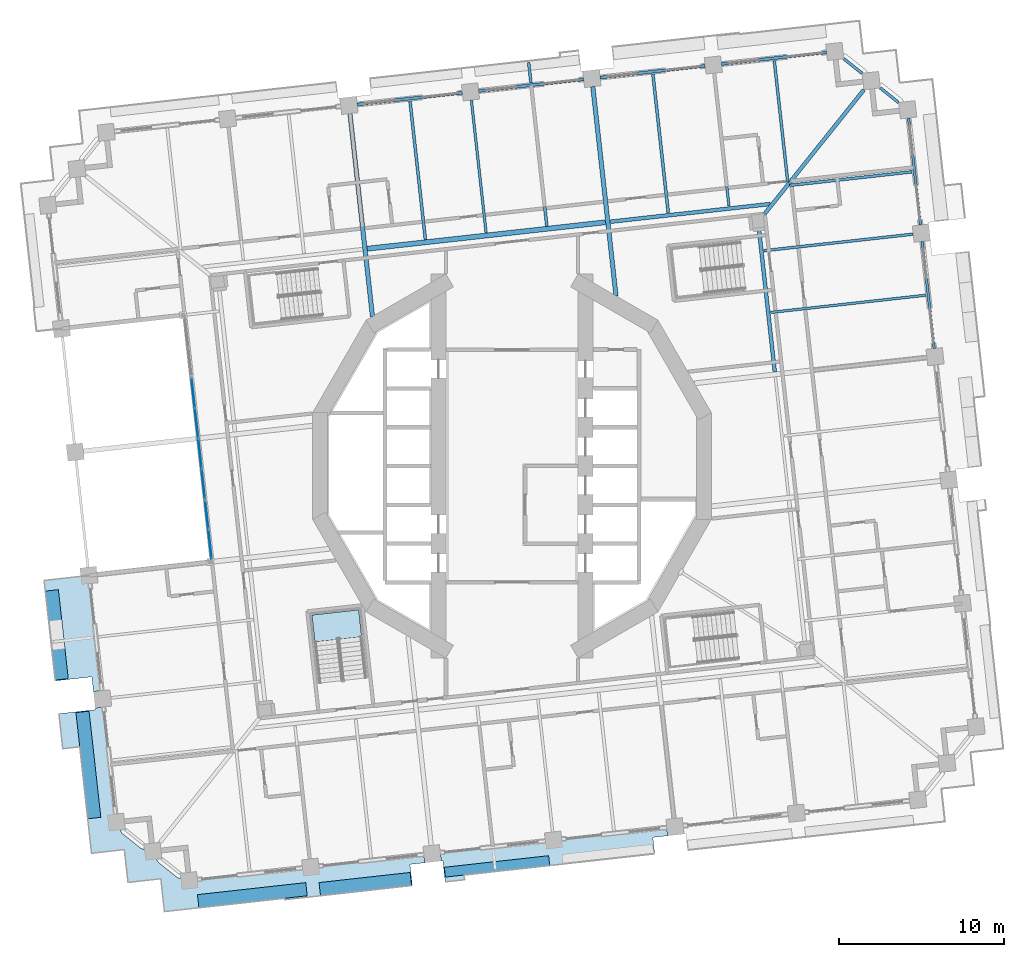
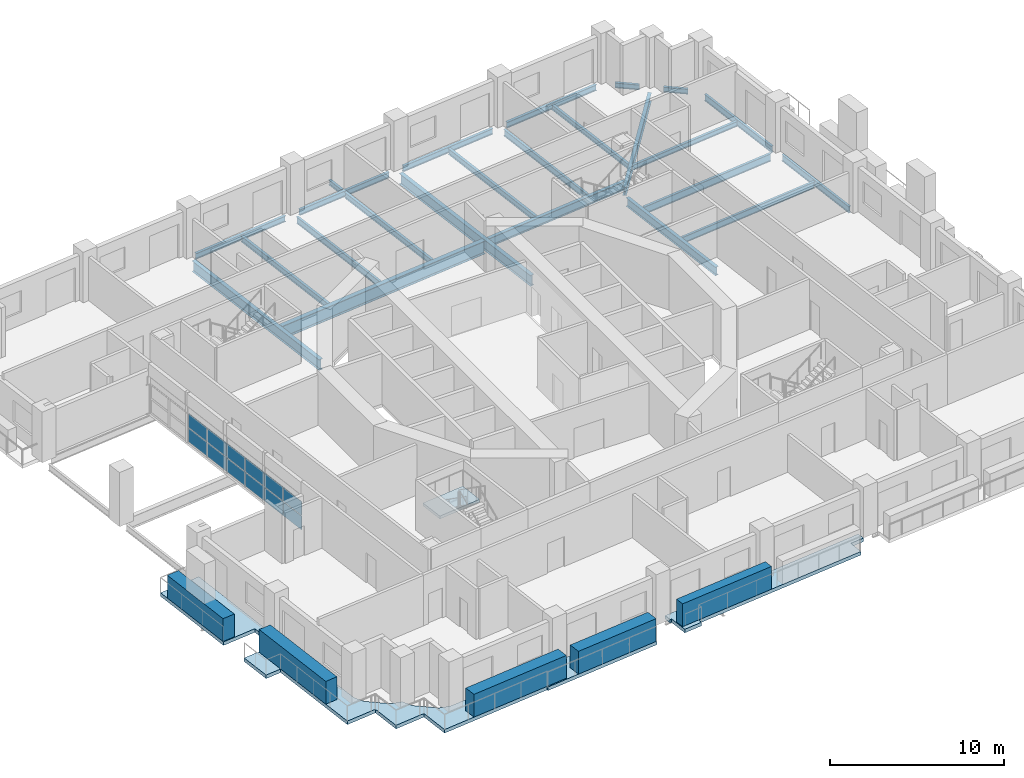
# One storey, part 5 of 21: 24 beams, 17 plates, 4 slabs, 2 elements without a shape of their own.
"""IFC4 building model written with IfcOpenShell, lengths in metres."""

from ifc_helpers import new_model, si_unit, direction, frame, origin, origin_2d, place, context, subcontext, project, spatial, polyline, rectangle, i_section, outline, extrude, material, layer, layer_set, material_profile, profile_set, type_object, element, aggregate, save


model = new_model("IFC4")

# Units and contexts
model_context = context("Model", 3, precision=1e-05, world=origin(), true_north=direction((0.0, 1.0)))
body_context = subcontext(model_context, "Body", "Model", "MODEL_VIEW")
ifc_project = project(units=[si_unit("LENGTHUNIT", "METRE"), si_unit("AREAUNIT", "SQUARE_METRE"), si_unit("VOLUMEUNIT", "CUBIC_METRE"), si_unit("PLANEANGLEUNIT", "RADIAN"), si_unit("MASSUNIT", "GRAM", prefix="KILO")], contexts=[model_context])

# Site, building, storey
site_placement = place(None, origin())
site = spatial("IfcSite", under=ifc_project, at=site_placement, CompositionType="ELEMENT")
building_placement = place(site_placement, origin())
building = spatial("IfcBuilding", under=site, at=building_placement, Name="Cantera Rosa Tower", CompositionType="ELEMENT")
storey_placement = place(building_placement, frame((0.0, 0.0, 72.89990234375)))
storey = spatial("IfcBuildingStorey", under=building, at=storey_placement, Name="L15", CompositionType="ELEMENT", Elevation=72.89990234375)

# Beams
ifc_material_1 = material(Name="Steel ASTM A992 (Fy 345 MPa)", Category="steel")
ifc_material_profile_1 = material_profile(ifc_material_1, i_section(OverallWidth=0.154052734375, OverallDepth=0.4599609375, WebThickness=0.009033203125, FlangeThickness=0.015380859375, FilletRadius=0.01025390625, at=origin_2d()), Name="W460X68")
ifc_profile_set_1 = profile_set([ifc_material_profile_1], Name="Steel ASTM A992 (Fy 345 MPa)")
beam_type_1 = type_object("IfcBeamType", Name="STEEL BEAM W460X68", PredefinedType="BEAM", material=ifc_profile_set_1)
beam_1_placement = place(storey_placement, frame((12.249755859375, 23.796630859375, -0.47998046875), z_axis=(0.110312435488, -0.993896959738, 0.0), x_axis=(0.993896959738, 0.110312435488, 0.0)))
element("IfcBeam", 1, at=beam_1_placement, inside=storey, type_object=beam_type_1, Name="G-Z1-05 L15", PredefinedType="BEAM", context=body_context, shape_type="SweptSolid", body=[
    extrude(i_section(OverallWidth=0.154052734375, OverallDepth=0.4599609375, WebThickness=0.009033203125, FlangeThickness=0.015380859375, FilletRadius=0.01025390625, at=origin_2d()), origin(), (0.0, 0.0, 1.0), 8.10009765625),
])
beam_2_placement = place(storey_placement, frame((-2.4599609375, 22.163818359375, -0.47998046875), z_axis=(0.110315740112, -0.993896592953, 0.0), x_axis=(0.993896592953, 0.110315740112, 0.0)))
element("IfcBeam", 2, at=beam_2_placement, inside=storey, type_object=beam_type_1, Name="G-Z1-07 L15", PredefinedType="BEAM", context=body_context, shape_type="SweptSolid", body=[
    extrude(i_section(OverallWidth=0.154052734375, OverallDepth=0.4599609375, WebThickness=0.009033203125, FlangeThickness=0.015380859375, FilletRadius=0.01025390625, at=origin_2d()), origin(), (0.0, 0.0, 1.0), 8.099853515625),
])
ifc_material_2 = material(Name="Steel ASTM A992 (Fy 345 MPa)", Category="steel")
ifc_material_profile_2 = material_profile(ifc_material_2, i_section(OverallWidth=0.166015625, OverallDepth=0.528076171875, WebThickness=0.009765625, FlangeThickness=0.013671875, FilletRadius=0.0126953125, at=origin_2d()), Name="W530X74")
ifc_profile_set_2 = profile_set([ifc_material_profile_2], Name="Steel ASTM A992 (Fy 345 MPa)")
beam_type_2 = type_object("IfcBeamType", Name="STEEL BEAM W530X74", PredefinedType="BEAM", material=ifc_profile_set_2)
beam_3_placement = place(storey_placement, frame((24.298828125, 14.046142578125, -0.513916015625), z_axis=(-0.993896161189, -0.110319630049, 0.0), x_axis=(0.110319630049, -0.993896161189, 0.0)))
element("IfcBeam", 3, at=beam_3_placement, inside=storey, type_object=beam_type_2, Name="G-Z1-04 L15", PredefinedType="BEAM", context=body_context, shape_type="SweptSolid", body=[
    extrude(i_section(OverallWidth=0.166015625, OverallDepth=0.528076171875, WebThickness=0.009765625, FlangeThickness=0.013671875, FilletRadius=0.0126953125, at=origin_2d()), origin(), (0.0, 0.0, 1.0), 9.10009765625),
])
ifc_material_3 = material(Name="Steel ASTM A992 (Fy 345 MPa)", Category="steel")
ifc_material_profile_3 = material_profile(ifc_material_3, i_section(OverallWidth=0.22802734375, OverallDepth=0.60205078125, WebThickness=0.010498046875, FlangeThickness=0.014892578125, FilletRadius=0.0126953125, at=origin_2d()), Name="W610X101")
ifc_profile_set_3 = profile_set([ifc_material_profile_3], Name="Steel ASTM A992 (Fy 345 MPa)")
beam_type_3 = type_object("IfcBeamType", Name="STEEL BEAM W610X101", PredefinedType="BEAM", material=ifc_profile_set_3)
beam_4_placement = place(storey_placement, frame((21.31591796875, 22.79052734375, -0.55078125), z_axis=(-0.624787924463, -0.780794498857, 0.0), x_axis=(0.780794498857, -0.624787924463, 0.0)))
element("IfcBeam", 4, at=beam_4_placement, inside=storey, type_object=beam_type_3, Name="CB-Z1-01 L15", PredefinedType="BEAM", context=body_context, shape_type="SweptSolid", body=[
    extrude(i_section(OverallWidth=0.22802734375, OverallDepth=0.60205078125, WebThickness=0.010498046875, FlangeThickness=0.014892578125, FilletRadius=0.0126953125, at=origin_2d()), origin(), (0.0, 0.0, 1.0), 9.616455078125),
])
beam_5_placement = place(storey_placement, frame((15.918212890625, 5.70068359375, -0.55078125), z_axis=(-0.110298932846, 0.993898458301, 0.0), x_axis=(-0.993898458301, -0.110298932846, 0.0)))
element("IfcBeam", 5, at=beam_5_placement, inside=storey, type_object=beam_type_3, Name="RB-Z1-09 L15", PredefinedType="BEAM", context=body_context, shape_type="SweptSolid", body=[
    extrude(i_section(OverallWidth=0.22802734375, OverallDepth=0.60205078125, WebThickness=0.010498046875, FlangeThickness=0.014892578125, FilletRadius=0.0126953125, at=origin_2d()), origin(), (0.0, 0.0, 1.0), 8.68994140625),
])
ifc_material_4 = material(Name="Steel ASTM A992 (Fy 345 MPa)", Category="steel")
ifc_material_profile_4 = material_profile(ifc_material_4, i_section(OverallWidth=0.22900390625, OverallDepth=0.612060546875, WebThickness=0.011962890625, FlangeThickness=0.01953125, FilletRadius=0.0126953125, at=origin_2d()), Name="W610X125")
ifc_profile_set_4 = profile_set([ifc_material_profile_4], Name="Steel ASTM A992 (Fy 345 MPa)")
beam_type_4 = type_object("IfcBeamType", Name="STEEL BEAM W610X125", PredefinedType="BEAM", material=ifc_profile_set_4)
beam_6_placement = place(storey_placement, frame((5.9541015625, 14.797119140625, -0.555908203125), z_axis=(0.993898078625, 0.110302354035, 0.0), x_axis=(-0.110302354035, 0.993898078625, 0.0)))
element("IfcBeam", 6, at=beam_6_placement, inside=storey, type_object=beam_type_4, Name="RB-Z1-03 L15", PredefinedType="BEAM", context=body_context, shape_type="SweptSolid", body=[
    extrude(i_section(OverallWidth=0.22900390625, OverallDepth=0.612060546875, WebThickness=0.011962890625, FlangeThickness=0.01953125, FilletRadius=0.0126953125, at=origin_2d()), origin(), (0.0, 0.0, 1.0), 9.75),
])
ifc_material_5 = material(Name="Steel ASTM A992 (Fy 345 MPa)", Category="steel")
ifc_material_profile_5 = material_profile(ifc_material_5, i_section(OverallWidth=0.26708984375, OverallDepth=0.75390625, WebThickness=0.01318359375, FlangeThickness=0.01708984375, FilletRadius=0.0166015625, at=origin_2d()), Name="W760X147")
ifc_profile_set_5 = profile_set([ifc_material_profile_5], Name="Steel ASTM A992 (Fy 345 MPa)")
beam_type_5 = type_object("IfcBeamType", Name="STEEL BEAM W760X147", PredefinedType="BEAM", material=ifc_profile_set_5)
beam_7_placement = place(storey_placement, frame((4.894775390625, 22.980224609375, -0.626953125), z_axis=(0.11031177493, -0.993897033053, 0.0), x_axis=(0.993897033053, 0.11031177493, 0.0)))
element("IfcBeam", 7, at=beam_7_placement, inside=storey, type_object=beam_type_5, Name="G-Z1-06 L15", PredefinedType="BEAM", context=body_context, shape_type="SweptSolid", body=[
    extrude(i_section(OverallWidth=0.26708984375, OverallDepth=0.75390625, WebThickness=0.01318359375, FlangeThickness=0.01708984375, FilletRadius=0.0166015625, at=origin_2d()), origin(), (0.0, 0.0, 1.0), 12.754638671875),
])
beam_8_placement = place(storey_placement, frame((-9.814697265625, 21.34765625, -0.626953125), z_axis=(0.110292782244, -0.993899140851, 0.0), x_axis=(0.993899140851, 0.110292782244, 0.0)))
element("IfcBeam", 8, at=beam_8_placement, inside=storey, type_object=beam_type_5, Name="G-Z1-08 L15", PredefinedType="BEAM", context=body_context, shape_type="SweptSolid", body=[
    extrude(i_section(OverallWidth=0.26708984375, OverallDepth=0.75390625, WebThickness=0.01318359375, FlangeThickness=0.01708984375, FilletRadius=0.0166015625, at=origin_2d()), origin(), (0.0, 0.0, 1.0), 12.360595703125),
])
ifc_material_6 = material(Name="Steel ASTM A992 (Fy 345 MPa)", Category="steel")
ifc_material_profile_6 = material_profile(ifc_material_6, i_section(OverallWidth=0.304931640625, OverallDepth=0.9189453125, WebThickness=0.017333984375, FlangeThickness=0.02783203125, FilletRadius=0.01904296875, at=origin_2d()), Name="W920X253")
ifc_profile_set_6 = profile_set([ifc_material_profile_6], Name="Steel ASTM A992 (Fy 345 MPa)")
beam_type_6 = type_object("IfcBeamType", Name="STEEL BEAM W920X253", PredefinedType="BEAM", material=ifc_profile_set_6)
beam_9_placement = place(storey_placement, frame((-8.755615234375, 13.16455078125, -0.70947265625), z_axis=(0.993898099692, 0.110302164209, 0.0), x_axis=(-0.110302164209, 0.993898099692, 0.0)))
element("IfcBeam", 9, at=beam_9_placement, inside=storey, type_object=beam_type_6, Name="RB-Z1-02 L15", PredefinedType="BEAM", context=body_context, shape_type="SweptSolid", body=[
    extrude(i_section(OverallWidth=0.304931640625, OverallDepth=0.9189453125, WebThickness=0.017333984375, FlangeThickness=0.02783203125, FilletRadius=0.01904296875, at=origin_2d()), origin(), (0.0, 0.0, 1.0), 14.499755859375),
])
ifc_material_7 = material(Name="Steel ASTM A992 (Fy 345 MPa)", Category="steel")
ifc_material_profile_7 = material_profile(ifc_material_7, i_section(OverallWidth=0.1708984375, OverallDepth=0.35595703125, WebThickness=0.00732421875, FlangeThickness=0.01171875, FilletRadius=0.010009765625, at=origin_2d()), Name="W360X51")
ifc_profile_set_7 = profile_set([ifc_material_profile_7], Name="Steel ASTM A992 (Fy 345 MPa)")
beam_type_7 = type_object("IfcBeamType", Name="STEEL JOIST W360X51", PredefinedType="JOIST", material=ifc_profile_set_7)
beam_10_placement = place(storey_placement, frame((24.23193359375, 17.82177734375, -0.427978515625), z_axis=(-0.993899688369, -0.110287848199, 0.0), x_axis=(0.110287848199, -0.993899688369, 0.0)))
element("IfcBeam", 10, at=beam_10_placement, inside=storey, type_object=beam_type_7, Name="B-Z1-05 L15", PredefinedType="JOIST", context=body_context, shape_type="SweptSolid", body=[
    extrude(i_section(OverallWidth=0.1708984375, OverallDepth=0.35595703125, WebThickness=0.00732421875, FlangeThickness=0.01171875, FilletRadius=0.010009765625, at=origin_2d()), origin(), (0.0, 0.0, 1.0), 7.4599609375),
])
beam_11_placement = place(storey_placement, frame((15.888427734375, 24.552490234375, -0.427978515625), z_axis=(0.110326513132, -0.993895397162, 0.0), x_axis=(0.993895397162, 0.110326513132, 0.0)))
element("IfcBeam", 11, at=beam_11_placement, inside=storey, type_object=beam_type_7, Name="B-Z1-06 L15", PredefinedType="JOIST", context=body_context, shape_type="SweptSolid", body=[
    extrude(i_section(OverallWidth=0.1708984375, OverallDepth=0.35595703125, WebThickness=0.00732421875, FlangeThickness=0.01171875, FilletRadius=0.010009765625, at=origin_2d()), origin(), (0.0, 0.0, 1.0), 7.39990234375),
])
beam_12_placement = place(storey_placement, frame((1.14794921875, 23.1982421875, -0.427978515625), z_axis=(-0.110345783203, 0.993893257915, 0.0), x_axis=(-0.993893257915, -0.110345783203, 0.0)))
element("IfcBeam", 12, at=beam_12_placement, inside=storey, type_object=beam_type_7, Name="BS-Z1-18 L15", PredefinedType="JOIST", context=body_context, shape_type="SweptSolid", body=[
    extrude(i_section(OverallWidth=0.1708984375, OverallDepth=0.35595703125, WebThickness=0.00732421875, FlangeThickness=0.01171875, FilletRadius=0.010009765625, at=origin_2d()), origin(), (0.0, 0.0, 1.0), 1.25),
])
ifc_material_8 = material(Name="Steel ASTM A992 (Fy 345 MPa)", Category="steel")
ifc_material_profile_8 = material_profile(ifc_material_8, i_section(OverallWidth=0.177978515625, OverallDepth=0.406005859375, WebThickness=0.0078125, FlangeThickness=0.0126953125, FilletRadius=0.01025390625, at=origin_2d()), Name="W410X60")
ifc_profile_set_8 = profile_set([ifc_material_profile_8], Name="Steel ASTM A992 (Fy 345 MPa)")
beam_type_8 = type_object("IfcBeamType", Name="STEEL JOIST W410X60", PredefinedType="JOIST", material=ifc_profile_set_8)
for number, where, z_axis, x_axis, name in (
    (13, (8.53369140625, 23.736328125, -0.452880859375), (0.110311022989, -0.99389711651, 0.0), (0.99389711651, 0.110311022989, 0.0), "B-Z1-07 L15"),
    (14, (1.178955078125, 22.919921875, -0.452880859375), (0.110311022989, -0.99389711651, 0.0), (0.99389711651, 0.110311022989, 0.0), "B-Z1-08 L15"),
    (15, (-6.176025390625, 22.103515625, -0.452880859375), (0.110311022989, -0.99389711651, 0.0), (0.99389711651, 0.110311022989, 0.0), "B-Z1-09 L15"),
):
    element("IfcBeam", number, at=place(storey_placement, frame(where, z_axis=z_axis, x_axis=x_axis)), inside=storey, type_object=beam_type_8, Name=name, PredefinedType="JOIST", context=body_context, shape_type="SweptSolid", body=[
        extrude(i_section(OverallWidth=0.177978515625, OverallDepth=0.406005859375, WebThickness=0.0078125, FlangeThickness=0.0126953125, FilletRadius=0.01025390625, at=origin_2d()), origin(), (0.0, 0.0, 1.0), 8.449951171875),
    ])
ifc_material_9 = material(Name="Steel ASTM A992 (Fy 345 MPa)", Category="steel")
ifc_material_profile_9 = material_profile(ifc_material_9, i_section(OverallWidth=0.154052734375, OverallDepth=0.4599609375, WebThickness=0.009033203125, FlangeThickness=0.015380859375, FilletRadius=0.01025390625, at=origin_2d()), Name="W460X68")
ifc_profile_set_9 = profile_set([ifc_material_profile_9], Name="Steel ASTM A992 (Fy 345 MPa)")
beam_type_9 = type_object("IfcBeamType", Name="STEEL JOIST W460X68", PredefinedType="JOIST", material=ifc_profile_set_9)
beam_13_placement = place(storey_placement, frame((25.0615234375, 10.34765625, -0.47998046875), z_axis=(-0.993896645353, -0.110315268011, 0.0), x_axis=(0.110315268011, -0.993896645353, 0.0)))
element("IfcBeam", 16, at=beam_13_placement, inside=storey, type_object=beam_type_9, Name="B-Z1-04 L15", PredefinedType="JOIST", context=body_context, shape_type="SweptSolid", body=[
    extrude(i_section(OverallWidth=0.154052734375, OverallDepth=0.4599609375, WebThickness=0.009033203125, FlangeThickness=0.015380859375, FilletRadius=0.01025390625, at=origin_2d()), origin(), (0.0, 0.0, 1.0), 9.449951171875),
])
ifc_material_10 = material(Name="Steel ASTM A992 (Fy 345 MPa)", Category="steel")
ifc_material_profile_10 = material_profile(ifc_material_10, i_section(OverallWidth=0.1708984375, OverallDepth=0.35595703125, WebThickness=0.00732421875, FlangeThickness=0.01171875, FilletRadius=0.010009765625, at=origin_2d()), Name="W360X51")
ifc_profile_set_10 = profile_set([ifc_material_profile_10], Name="Steel ASTM A992 (Fy 345 MPa)")
beam_type_10 = type_object("IfcBeamType", Name="STEEL SPANDREL BEAM W360X51", PredefinedType="SPANDREL", material=ifc_profile_set_10)
for number, where, z_axis, x_axis, name in (
    (17, (23.4140625, 22.017333984375, -0.427978515625), (-0.780818280208, 0.624758203863, 0.0), (-0.624758203863, -0.780818280208, 0.0), "EB-Z1-06 L15"),
    (18, (21.205810546875, 23.784423828125, -0.427978515625), (-0.780818280208, 0.624758203863, 0.0), (-0.624758203863, -0.780818280208, 0.0), "EB-Z1-07 L15"),
):
    element("IfcBeam", number, at=place(storey_placement, frame(where, z_axis=z_axis, x_axis=x_axis)), inside=storey, type_object=beam_type_10, Name=name, PredefinedType="SPANDREL", context=body_context, shape_type="SweptSolid", body=[
        extrude(i_section(OverallWidth=0.1708984375, OverallDepth=0.35595703125, WebThickness=0.00732421875, FlangeThickness=0.01171875, FilletRadius=0.010009765625, at=origin_2d()), origin(), (0.0, 0.0, 1.0), 1.414306640625),
    ])
ifc_material_11 = material(Name="Steel ASTM A992 (Fy 345 MPa)", Category="steel")
ifc_material_profile_11 = material_profile(ifc_material_11, i_section(OverallWidth=0.177978515625, OverallDepth=0.406005859375, WebThickness=0.0078125, FlangeThickness=0.0126953125, FilletRadius=0.01025390625, at=origin_2d()), Name="W410X60")
ifc_profile_set_11 = profile_set([ifc_material_profile_11], Name="Steel ASTM A992 (Fy 345 MPa)")
beam_type_11 = type_object("IfcBeamType", Name="STEEL SPANDREL BEAM W410X60", PredefinedType="SPANDREL", material=ifc_profile_set_11)
beam_14_placement = place(storey_placement, frame((19.052490234375, 25.0546875, -0.452880859375), z_axis=(-0.993896288542, -0.110318482689, 0.0), x_axis=(0.110318482689, -0.993896288542, 0.0)))
element("IfcBeam", 19, at=beam_14_placement, inside=storey, type_object=beam_type_11, Name="EB-Z1-08 L15", PredefinedType="SPANDREL", context=body_context, shape_type="SweptSolid", body=[
    extrude(i_section(OverallWidth=0.177978515625, OverallDepth=0.406005859375, WebThickness=0.0078125, FlangeThickness=0.0126953125, FilletRadius=0.01025390625, at=origin_2d()), origin(), (0.0, 0.0, 1.0), 6.400146484375),
])
for number, where, z_axis, x_axis, name in (
    (20, (11.697509765625, 24.23828125, -0.452880859375), (-0.993895824271, -0.110322665379, 0.0), (0.110322665379, -0.993895824271, 0.0), "EB-Z1-09 L15"),
    (21, (4.3427734375, 23.422119140625, -0.452880859375), (-0.993895824271, -0.110322665379, 0.0), (0.110322665379, -0.993895824271, 0.0), "EB-Z1-10 L15"),
):
    element("IfcBeam", number, at=place(storey_placement, frame(where, z_axis=z_axis, x_axis=x_axis)), inside=storey, type_object=beam_type_11, Name=name, PredefinedType="SPANDREL", context=body_context, shape_type="SweptSolid", body=[
        extrude(i_section(OverallWidth=0.177978515625, OverallDepth=0.406005859375, WebThickness=0.0078125, FlangeThickness=0.0126953125, FilletRadius=0.01025390625, at=origin_2d()), origin(), (0.0, 0.0, 1.0), 6.39990234375),
    ])
beam_15_placement = place(storey_placement, frame((-3.011962890625, 22.605712890625, -0.452880859375), z_axis=(-0.993896288542, -0.110318482689, 0.0), x_axis=(0.110318482689, -0.993896288542, 0.0)))
element("IfcBeam", 22, at=beam_15_placement, inside=storey, type_object=beam_type_11, Name="EB-Z1-11 L15", PredefinedType="SPANDREL", context=body_context, shape_type="SweptSolid", body=[
    extrude(i_section(OverallWidth=0.177978515625, OverallDepth=0.406005859375, WebThickness=0.0078125, FlangeThickness=0.0126953125, FilletRadius=0.01025390625, at=origin_2d()), origin(), (0.0, 0.0, 1.0), 6.400146484375),
])
ifc_material_12 = material(Name="Steel ASTM A992 (Fy 345 MPa)", Category="steel")
ifc_material_profile_12 = material_profile(ifc_material_12, i_section(OverallWidth=0.154052734375, OverallDepth=0.4599609375, WebThickness=0.009033203125, FlangeThickness=0.015380859375, FilletRadius=0.01025390625, at=origin_2d()), Name="W460X68")
ifc_profile_set_12 = profile_set([ifc_material_profile_12], Name="Steel ASTM A992 (Fy 345 MPa)")
beam_type_12 = type_object("IfcBeamType", Name="STEEL SPANDREL BEAM W460X68", PredefinedType="SPANDREL", material=ifc_profile_set_12)
for number, where, z_axis, x_axis, name in (
    (23, (25.570068359375, 7.124267578125, -0.47998046875), (-0.110312341265, 0.993896970196, 0.0), (-0.993896970196, -0.110312341265, 0.0), "EB-Z1-04 L15"),
    (24, (24.74072265625, 14.598388671875, -0.47998046875), (-0.110312341265, 0.993896970196, 0.0), (-0.993896970196, -0.110312341265, 0.0), "EB-Z1-05 L15"),
):
    element("IfcBeam", number, at=place(storey_placement, frame(where, z_axis=z_axis, x_axis=x_axis)), inside=storey, type_object=beam_type_12, Name=name, PredefinedType="SPANDREL", context=body_context, shape_type="SweptSolid", body=[
        extrude(i_section(OverallWidth=0.154052734375, OverallDepth=0.4599609375, WebThickness=0.009033203125, FlangeThickness=0.015380859375, FilletRadius=0.01025390625, at=origin_2d()), origin(), (0.0, 0.0, 1.0), 6.52001953125),
    ])

# Curtain wall, plates
ifc_material_13 = material(Name="Aluminium frame with clear glass", Category="aluminium")
curtain_wall_type = type_object("IfcCurtainWallType", Name="CW1 TERRACE POCKET GLAZING", PredefinedType="NOTDEFINED", material=ifc_material_13)
curtain_wall_placement = place(storey_placement, origin())
curtain_wall = element("IfcCurtainWall", 25, at=curtain_wall_placement, inside=storey, type_object=curtain_wall_type, Name="CW1 CW1", PredefinedType="NOTDEFINED")
ifc_material_14 = material(Name="Aluminium frame with clear glass", Category="aluminium")
ifc_layer_1 = layer(ifc_material_14, 0.028076171875)
ifc_layer_set_1 = layer_set([ifc_layer_1], Name="CW-PANEL POCKET")
plate_type_1 = type_object("IfcPlateType", Name="CW-PANEL POCKET", PredefinedType="CURTAIN_PANEL", material=ifc_layer_set_1)
plate_1_placement = place(storey_placement, frame((-19.306640625, 4.430419921875, 0.06005859375), z_axis=(0.0, 0.0, 1.0), x_axis=(0.110312555508, -0.993896946417, 0.0)))
plate_1 = element("IfcPlate", 26, at=plate_1_placement, type_object=plate_type_1, Name="CW1 panel 3.1", PredefinedType="CURTAIN_PANEL", context=body_context, shape_type="SweptSolid", body=[
    extrude(rectangle(XDim=1.788818359375, YDim=0.028076171875, at=origin_2d()), origin(), (0.0, 0.0, 1.0), 0.9619140625),
])
plate_2_placement = place(storey_placement, frame((-19.306640625, 4.430419921875, 1.08203125), z_axis=(0.0, 0.0, 1.0), x_axis=(0.110312555508, -0.993896946417, 0.0)))
plate_2 = element("IfcPlate", 27, at=plate_2_placement, type_object=plate_type_1, Name="CW1 panel 3.2", PredefinedType="CURTAIN_PANEL", context=body_context, shape_type="SweptSolid", body=[
    extrude(rectangle(XDim=1.788818359375, YDim=0.028076171875, at=origin_2d()), origin(), (0.0, 0.0, 1.0), 0.9619140625),
])
plate_3_placement = place(storey_placement, frame((-19.1025390625, 2.593017578125, 0.06005859375), z_axis=(0.0, 0.0, 1.0), x_axis=(0.110312555508, -0.993896946417, 0.0)))
plate_3 = element("IfcPlate", 28, at=plate_3_placement, type_object=plate_type_1, Name="CW1 panel 4.1", PredefinedType="CURTAIN_PANEL", context=body_context, shape_type="SweptSolid", body=[
    extrude(rectangle(XDim=1.788818359375, YDim=0.028076171875, at=origin_2d()), origin(), (0.0, 0.0, 1.0), 0.9619140625),
])
plate_4_placement = place(storey_placement, frame((-19.1025390625, 2.593017578125, 1.08203125), z_axis=(0.0, 0.0, 1.0), x_axis=(0.110312555508, -0.993896946417, 0.0)))
plate_4 = element("IfcPlate", 29, at=plate_4_placement, type_object=plate_type_1, Name="CW1 panel 4.2", PredefinedType="CURTAIN_PANEL", context=body_context, shape_type="SweptSolid", body=[
    extrude(rectangle(XDim=1.788818359375, YDim=0.028076171875, at=origin_2d()), origin(), (0.0, 0.0, 1.0), 0.9619140625),
])
plate_5_placement = place(storey_placement, frame((-18.898681640625, 0.75537109375, 0.06005859375), z_axis=(0.0, 0.0, 1.0), x_axis=(0.110312555508, -0.993896946417, 0.0)))
plate_5 = element("IfcPlate", 30, at=plate_5_placement, type_object=plate_type_1, Name="CW1 panel 5.1", PredefinedType="CURTAIN_PANEL", context=body_context, shape_type="SweptSolid", body=[
    extrude(rectangle(XDim=1.788818359375, YDim=0.028076171875, at=origin_2d()), origin(), (0.0, 0.0, 1.0), 0.9619140625),
])
plate_6_placement = place(storey_placement, frame((-18.898681640625, 0.75537109375, 1.08203125), z_axis=(0.0, 0.0, 1.0), x_axis=(0.110312555508, -0.993896946417, 0.0)))
plate_6 = element("IfcPlate", 31, at=plate_6_placement, type_object=plate_type_1, Name="CW1 panel 5.2", PredefinedType="CURTAIN_PANEL", context=body_context, shape_type="SweptSolid", body=[
    extrude(rectangle(XDim=1.788818359375, YDim=0.028076171875, at=origin_2d()), origin(), (0.0, 0.0, 1.0), 0.9619140625),
])
plate_7_placement = place(storey_placement, frame((-18.69482421875, -1.08203125, 0.06005859375), z_axis=(0.0, 0.0, 1.0), x_axis=(0.110312555508, -0.993896946417, 0.0)))
plate_7 = element("IfcPlate", 32, at=plate_7_placement, type_object=plate_type_1, Name="CW1 panel 6.1", PredefinedType="CURTAIN_PANEL", context=body_context, shape_type="SweptSolid", body=[
    extrude(rectangle(XDim=1.788818359375, YDim=0.028076171875, at=origin_2d()), origin(), (0.0, 0.0, 1.0), 0.9619140625),
])
plate_8_placement = place(storey_placement, frame((-18.69482421875, -1.08203125, 1.08203125), z_axis=(0.0, 0.0, 1.0), x_axis=(0.110312555508, -0.993896946417, 0.0)))
plate_8 = element("IfcPlate", 33, at=plate_8_placement, type_object=plate_type_1, Name="CW1 panel 6.2", PredefinedType="CURTAIN_PANEL", context=body_context, shape_type="SweptSolid", body=[
    extrude(rectangle(XDim=1.788818359375, YDim=0.028076171875, at=origin_2d()), origin(), (0.0, 0.0, 1.0), 0.9619140625),
])
plate_9_placement = place(storey_placement, frame((-18.49072265625, -2.91943359375, 0.06005859375), z_axis=(0.0, 0.0, 1.0), x_axis=(0.110312555508, -0.993896946417, 0.0)))
plate_9 = element("IfcPlate", 34, at=plate_9_placement, type_object=plate_type_1, Name="CW1 panel 7.1", PredefinedType="CURTAIN_PANEL", context=body_context, shape_type="SweptSolid", body=[
    extrude(rectangle(XDim=1.788818359375, YDim=0.028076171875, at=origin_2d()), origin(), (0.0, 0.0, 1.0), 0.9619140625),
])
plate_10_placement = place(storey_placement, frame((-18.49072265625, -2.91943359375, 1.08203125), z_axis=(0.0, 0.0, 1.0), x_axis=(0.110312555508, -0.993896946417, 0.0)))
plate_10 = element("IfcPlate", 35, at=plate_10_placement, type_object=plate_type_1, Name="CW1 panel 7.2", PredefinedType="CURTAIN_PANEL", context=body_context, shape_type="SweptSolid", body=[
    extrude(rectangle(XDim=1.788818359375, YDim=0.028076171875, at=origin_2d()), origin(), (0.0, 0.0, 1.0), 0.9619140625),
])
plate_11_placement = place(storey_placement, frame((-18.28857421875, -4.741943359375, 0.06005859375), z_axis=(0.0, 0.0, 1.0), x_axis=(0.110312555508, -0.993896946417, 0.0)))
plate_11 = element("IfcPlate", 36, at=plate_11_placement, type_object=plate_type_1, Name="CW1 panel 8.1", PredefinedType="CURTAIN_PANEL", context=body_context, shape_type="SweptSolid", body=[
    extrude(rectangle(XDim=1.7587890625, YDim=0.028076171875, at=origin_2d()), origin(), (0.0, 0.0, 1.0), 0.9619140625),
])
plate_12_placement = place(storey_placement, frame((-18.28857421875, -4.741943359375, 1.08203125), z_axis=(0.0, 0.0, 1.0), x_axis=(0.110312555508, -0.993896946417, 0.0)))
plate_12 = element("IfcPlate", 37, at=plate_12_placement, type_object=plate_type_1, Name="CW1 panel 8.2", PredefinedType="CURTAIN_PANEL", context=body_context, shape_type="SweptSolid", body=[
    extrude(rectangle(XDim=1.7587890625, YDim=0.028076171875, at=origin_2d()), origin(), (0.0, 0.0, 1.0), 0.9619140625),
])
aggregate(curtain_wall, [plate_1, plate_2, plate_3, plate_4, plate_5, plate_6, plate_7, plate_8, plate_9, plate_10, plate_11, plate_12])

# Slabs
ifc_material_15 = material(Name="Concrete C35/45", Category="concrete")
ifc_layer_2 = layer(ifc_material_15, 0.25)
ifc_layer_set_2 = layer_set([ifc_layer_2], Name="LOGGIA SLAB 250 C35/45")
slab_type_1 = type_object("IfcSlabType", Name="LOGGIA SLAB 250 C35/45", PredefinedType="FLOOR", material=ifc_layer_set_2)
slab_1_placement = place(storey_placement, frame((0.0, 0.0, -0.25)))
element("IfcSlab", 38, at=slab_1_placement, inside=storey, type_object=slab_type_1, Name="LOGGIA SLAB L15 1", PredefinedType="FLOOR", context=body_context, shape_type="SweptSolid", body=[
    extrude(outline(polyline([(-25.347900390625, -13.65966796875), (-25.447265625, -12.764892578125), (-27.666259765625, -13.01123046875), (-28.34130859375, -6.9287109375), (-25.625244140625, -6.627197265625), (-24.850830078125, -13.6044921875), (-25.347900390625, -13.65966796875)])), origin(), (0.0, 0.0, 1.0), 0.25),
])
slab_2_placement = place(storey_placement, frame((0.0, 0.0, -0.25)))
element("IfcSlab", 39, at=slab_2_placement, inside=storey, type_object=slab_type_1, Name="LOGGIA SLAB L15 3", PredefinedType="FLOOR", context=body_context, shape_type="SweptSolid", body=[
    extrude(outline(polyline([(-19.36181640625, -26.79931640625), (-21.051513671875, -26.98681640625), (-21.239013671875, -25.29736328125), (-21.272216796875, -24.999267578125), (-21.5703125, -25.0322265625), (-23.260009765625, -25.2197265625), (-23.447509765625, -23.5302734375), (-23.48046875, -23.23193359375), (-23.77880859375, -23.26513671875), (-25.46826171875, -23.45263671875), (-25.65576171875, -21.762939453125), (-26.183837890625, -17.0048828125), (-27.21044921875, -17.118896484375), (-27.445556640625, -14.9990234375), (-25.2265625, -14.752685546875), (-25.237548828125, -14.653564453125), (-24.740478515625, -14.598388671875), (-23.96630859375, -21.575439453125), (-23.677001953125, -22.161865234375), (-23.66162109375, -22.18701171875), (-23.643798828125, -22.21044921875), (-23.62353515625, -22.23193359375), (-23.6015625, -22.25146484375), (-22.497314453125, -23.135009765625), (-22.473388671875, -23.15234375), (-22.447998046875, -23.1669921875), (-22.42138671875, -23.179443359375), (-22.393310546875, -23.18896484375), (-21.7578125, -23.342529296875), (-21.468505859375, -23.92919921875), (-21.453125, -23.9541015625), (-21.435302734375, -23.9775390625), (-21.415283203125, -23.999267578125), (-21.39306640625, -24.018798828125), (-20.288818359375, -24.902099609375), (-20.26513671875, -24.91943359375), (-20.239501953125, -24.934326171875), (-20.212890625, -24.946533203125), (-20.18505859375, -24.9560546875), (-19.54931640625, -25.10986328125), (-18.642578125, -25.00927734375), (-5.336669921875, -23.5322265625), (-5.281494140625, -24.029296875), (-6.176025390625, -24.12841796875), (-6.0341796875, -25.406005859375), (-13.77197265625, -26.2646484375), (-13.78125, -26.179931640625), (-19.36181640625, -26.79931640625)])), origin(), (0.0, 0.0, 1.0), 0.25),
])
slab_3_placement = place(storey_placement, frame((0.0, 0.0, -0.25)))
element("IfcSlab", 40, at=slab_3_placement, inside=storey, type_object=slab_type_1, Name="LOGGIA SLAB L15 5", PredefinedType="FLOOR", context=body_context, shape_type="SweptSolid", body=[
    extrude(outline(polyline([(-4.188232421875, -23.907958984375), (-4.28759765625, -23.9189453125), (-4.3427734375, -23.422119140625), (9.373046875, -21.899658203125), (9.42822265625, -22.396484375), (8.53369140625, -22.495849609375), (8.64404296875, -23.48974609375), (8.544677734375, -23.5009765625), (4.17138671875, -23.986083984375), (1.189697265625, -24.317138671875), (-2.89990234375, -24.77099609375), (-2.868408203125, -25.054443359375), (-4.04638671875, -25.185302734375), (-4.188232421875, -23.907958984375)])), origin(), (0.0, 0.0, 1.0), 0.25),
])

# Plates
ifc_material_16 = material(Name="Cantera stone planter with soil", Category="masonry")
plate_type_2 = type_object("IfcPlateType", Name="PLANTER 600", PredefinedType="USERDEFINED", material=ifc_material_16)
plate_13_placement = place(storey_placement, frame((-0.90576171875, -24.247802734375, 0.0), z_axis=(0.0, 0.0, 1.0), x_axis=(0.993896946415, 0.110312555526, 0.0)))
element("IfcPlate", 41, at=plate_13_placement, inside=storey, type_object=plate_type_2, Name="PLANTER L15-19", ObjectType="PLANTER", PredefinedType="USERDEFINED", context=body_context, shape_type="SweptSolid", body=[
    extrude(rectangle(XDim=6.35009765625, YDim=0.60009765625, at=origin_2d()), origin(), (0.0, 0.0, 1.0), 1.60009765625),
])
ifc_material_17 = material(Name="Cantera stone planter with soil", Category="masonry")
plate_type_3 = type_object("IfcPlateType", Name="PLANTER 800", PredefinedType="USERDEFINED", material=ifc_material_17)
plate_14_placement = place(storey_placement, frame((-27.5732421875, -10.22412109375, 0.0), z_axis=(0.0, 0.0, 1.0), x_axis=(0.110312555526, -0.993896946415, 0.0)))
element("IfcPlate", 42, at=plate_14_placement, inside=storey, type_object=plate_type_3, Name="PLANTER L15-15", ObjectType="PLANTER", PredefinedType="USERDEFINED", context=body_context, shape_type="SweptSolid", body=[
    extrude(rectangle(XDim=5.419921875, YDim=0.800048828125, at=origin_2d()), origin(), (0.0, 0.0, 1.0), 1.60009765625),
])
plate_15_placement = place(storey_placement, frame((-25.6591796875, -18.10595703125, 0.0), z_axis=(0.0, 0.0, 1.0), x_axis=(0.110312555526, -0.993896946415, 0.0)))
element("IfcPlate", 43, at=plate_15_placement, inside=storey, type_object=plate_type_3, Name="PLANTER L15-16", ObjectType="PLANTER", PredefinedType="USERDEFINED", context=body_context, shape_type="SweptSolid", body=[
    extrude(rectangle(XDim=6.469970703125, YDim=0.800048828125, at=origin_2d()), origin(), (0.0, 0.0, 1.0), 1.60009765625),
])
plate_16_placement = place(storey_placement, frame((-15.728515625, -25.99365234375, 0.0), z_axis=(0.0, 0.0, 1.0), x_axis=(0.993896946415, 0.110312555526, 0.0)))
element("IfcPlate", 44, at=plate_16_placement, inside=storey, type_object=plate_type_3, Name="PLANTER L15-17", ObjectType="PLANTER", PredefinedType="USERDEFINED", context=body_context, shape_type="SweptSolid", body=[
    extrude(rectangle(XDim=6.60009765625, YDim=0.800048828125, at=origin_2d()), origin(), (0.0, 0.0, 1.0), 1.60009765625),
])
plate_17_placement = place(storey_placement, frame((-8.88623046875, -25.320068359375, 0.0), z_axis=(0.0, 0.0, 1.0), x_axis=(0.993896946415, 0.110312555526, 0.0)))
element("IfcPlate", 45, at=plate_17_placement, inside=storey, type_object=plate_type_3, Name="PLANTER L15-18", ObjectType="PLANTER", PredefinedType="USERDEFINED", context=body_context, shape_type="SweptSolid", body=[
    extrude(rectangle(XDim=5.550048828125, YDim=0.800048828125, at=origin_2d()), origin(), (0.0, 0.0, 1.0), 1.60009765625),
])

# Stair, slab
ifc_material_18 = material(Name="Concrete C35/45", Category="concrete")
stair_type = type_object("IfcStairType", Name="EXIT STAIR 1350 DOGLEG", PredefinedType="HALF_TURN_STAIR", material=ifc_material_18)
stair_placement = place(storey_placement, origin())
stair = element("IfcStair", 46, at=stair_placement, inside=storey, type_object=stair_type, Name="L15 ST-13", PredefinedType="HALF_TURN_STAIR")
ifc_material_19 = material(Name="Concrete C35/45", Category="concrete")
ifc_layer_3 = layer(ifc_material_19, 0.199951171875)
ifc_layer_set_3 = layer_set([ifc_layer_3], Name="STAIR LANDING 200")
slab_type_2 = type_object("IfcSlabType", Name="STAIR LANDING 200", PredefinedType="LANDING", material=ifc_layer_set_3)
slab_4_placement = place(storey_placement, frame((0.0, 0.0, 1.7001953125)))
slab_4 = element("IfcSlab", 47, at=slab_4_placement, type_object=slab_type_2, Name="ST-13 landing 1", PredefinedType="LANDING", context=body_context, shape_type="SweptSolid", body=[
    extrude(outline(polyline([(-9.10595703125, -10.341552734375), (-9.287109375, -8.70947265625), (-12.11962890625, -9.02392578125), (-11.9384765625, -10.656005859375), (-9.10595703125, -10.341552734375)])), origin(), (0.0, 0.0, 1.0), 0.199951171875),
])
aggregate(stair, [slab_4])

save(model, "model.ifc")
